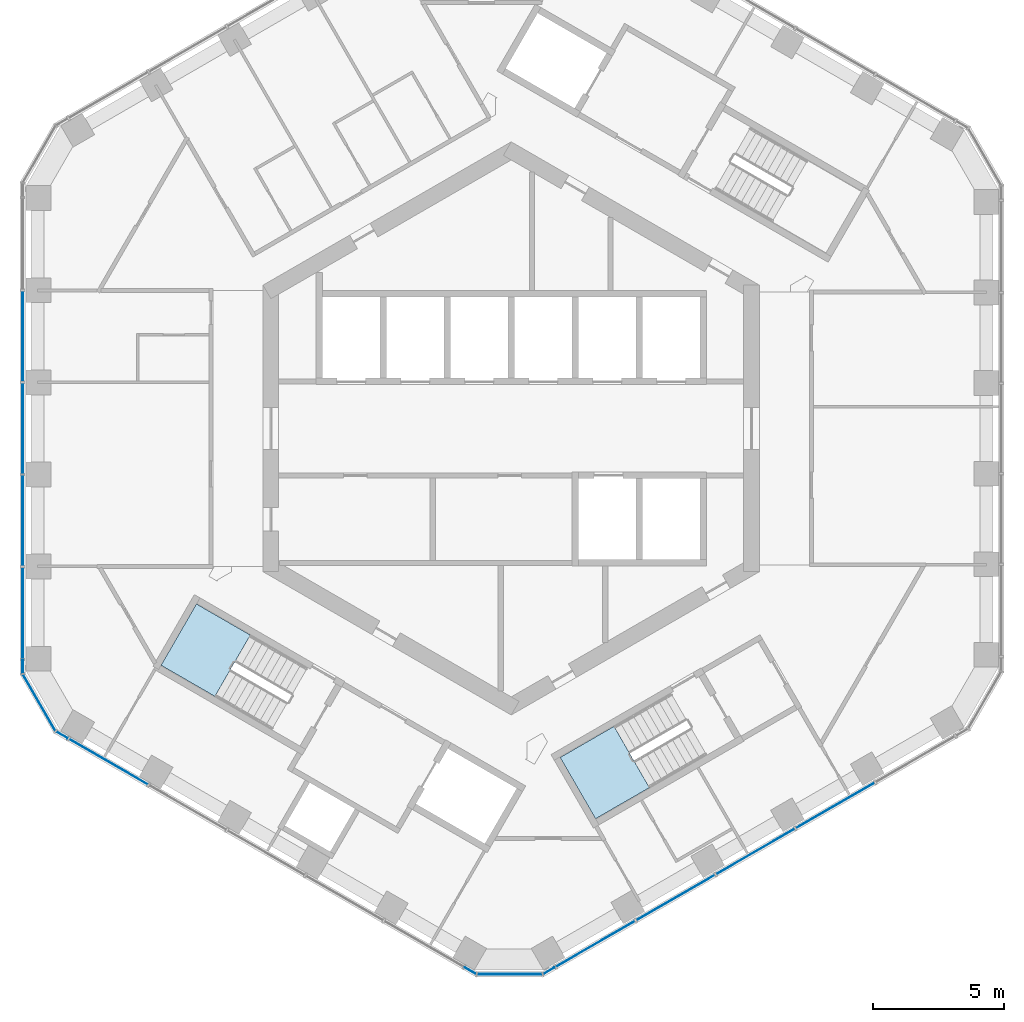
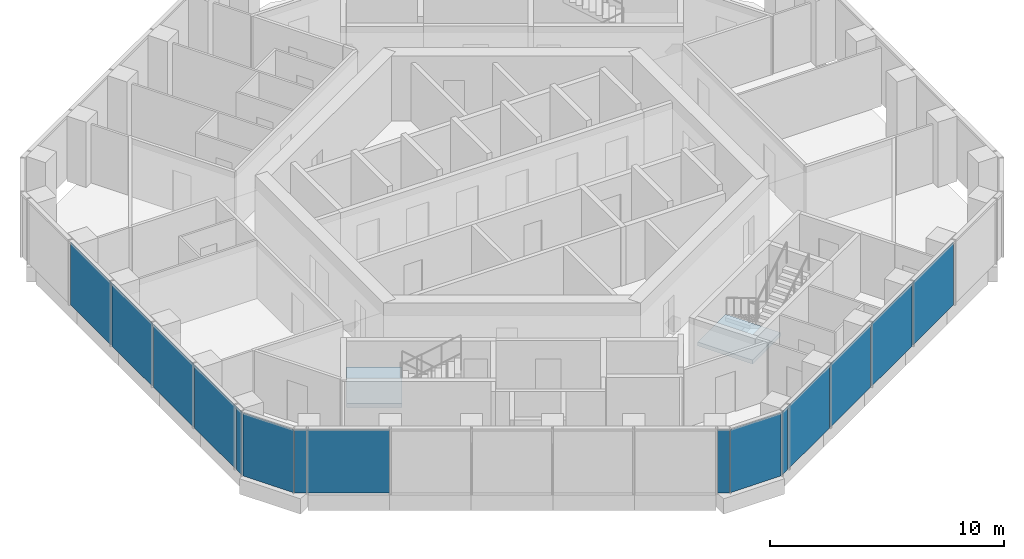
# One storey, part 9 of 19: 15 plates, 2 slabs, 7 elements without a shape of their own.
"""IFC4 building model written with IfcOpenShell, lengths in metres."""

from ifc_helpers import new_model, si_unit, direction, frame, origin, origin_2d, place, context, subcontext, project, spatial, polyline, rectangle, outline, extrude, material, layer, layer_set, type_object, element, aggregate, save


model = new_model("IFC4")

# Units and contexts
model_context = context("Model", 3, precision=1e-05, world=origin(), true_north=direction((0.0, 1.0)))
body_context = subcontext(model_context, "Body", "Model", "MODEL_VIEW")
ifc_project = project(units=[si_unit("LENGTHUNIT", "METRE"), si_unit("AREAUNIT", "SQUARE_METRE"), si_unit("VOLUMEUNIT", "CUBIC_METRE"), si_unit("PLANEANGLEUNIT", "RADIAN"), si_unit("MASSUNIT", "GRAM", prefix="KILO")], contexts=[model_context])

# Site, building, storey
site_placement = place(None, origin())
site = spatial("IfcSite", under=ifc_project, at=site_placement, CompositionType="ELEMENT")
building_placement = place(site_placement, origin())
building = spatial("IfcBuilding", under=site, at=building_placement, Name="Ayvan Gate Tower", CompositionType="ELEMENT")
storey_placement = place(building_placement, frame((0.0, 0.0, 156.10009765625)))
storey = spatial("IfcBuildingStorey", under=building, at=storey_placement, Name="L41", CompositionType="ELEMENT", Elevation=156.10009765625)

# Stair, slab
ifc_material_1 = material(Name="Concrete C40/50", Category="concrete")
stair_type = type_object("IfcStairType", Name="ST-EXIT", PredefinedType="HALF_TURN_STAIR", material=ifc_material_1)
stair_1_placement = place(storey_placement, origin())
stair_1 = element("IfcStair", 1, at=stair_1_placement, inside=storey, type_object=stair_type, Name="L41 Exit Stair S2", PredefinedType="HALF_TURN_STAIR")
ifc_layer_1 = layer(ifc_material_1, 0.199951171875)
ifc_layer_set_1 = layer_set([ifc_layer_1], Name="Concrete C40/50")
slab_type = type_object("IfcSlabType", Name="SL-LANDING-200", PredefinedType="LANDING", material=ifc_layer_set_1)
slab_1_placement = place(storey_placement, frame((0.0, 0.0, 1.5)))
slab_1 = element("IfcSlab", 2, at=slab_1_placement, type_object=slab_type, Name="STS2 landing 1", PredefinedType="LANDING", context=body_context, shape_type="SweptSolid", body=[
    extrude(outline(polyline([(-9.988525390625, -7.91064453125), (-12.049560546875, -6.720458984375), (-13.404541015625, -9.0673828125), (-11.343505859375, -10.257568359375), (-9.988525390625, -7.91064453125)])), origin(), (0.0, 0.0, 1.0), 0.199951171875),
])
aggregate(stair_1, [slab_1])

stair_2_placement = place(storey_placement, origin())
stair_2 = element("IfcStair", 3, at=stair_2_placement, inside=storey, type_object=stair_type, Name="L41 Exit Stair S3", PredefinedType="HALF_TURN_STAIR")
slab_2_placement = place(storey_placement, frame((0.0, 0.0, 1.5)))
slab_2 = element("IfcSlab", 4, at=slab_2_placement, type_object=slab_type, Name="STS3 landing 1", PredefinedType="LANDING", context=body_context, shape_type="SweptSolid", body=[
    extrude(outline(polyline([(3.93505859375, -11.405517578125), (1.873779296875, -12.595458984375), (3.228759765625, -14.9423828125), (5.2900390625, -13.75244140625), (3.93505859375, -11.405517578125)])), origin(), (0.0, 0.0, 1.0), 0.199951171875),
])
aggregate(stair_2, [slab_2])

# Curtain wall, plates
ifc_material_2 = material(Name="Bronze anodised aluminium", Category="aluminium")
ifc_layer_2 = layer(ifc_material_2, 0.199951171875)
ifc_layer_set_2 = layer_set([ifc_layer_2], Name="Bronze anodised aluminium")
curtain_wall_type_1 = type_object("IfcCurtainWallType", Name="Stick curtain wall CW-2", PredefinedType="NOTDEFINED", material=ifc_layer_set_2)
curtain_wall_1_placement = place(storey_placement, origin())
curtain_wall_1 = element("IfcCurtainWall", 5, at=curtain_wall_1_placement, inside=storey, type_object=curtain_wall_type_1, Name="Stick curtain wall CW-2 L41", PredefinedType="NOTDEFINED")
ifc_material_3 = material(Name="Clear low-iron laminated glass", Category="glass")
ifc_layer_3 = layer(ifc_material_3, 0.028076171875)
ifc_layer_set_3 = layer_set([ifc_layer_3], Name="Clear low-iron laminated glass")
plate_type_1 = type_object("IfcPlateType", Name="Stick curtain wall CW-2 glass panel", PredefinedType="CURTAIN_PANEL", material=ifc_layer_set_3)
plate_1_placement = place(storey_placement, frame((-18.7021484375, 3.52783203125, 0.0), z_axis=(0.0, 0.0, 1.0), x_axis=(0.0, -1.0, 0.0)))
plate_1 = element("IfcPlate", 6, at=plate_1_placement, type_object=plate_type_1, Name="CW-2 glass panel 2", PredefinedType="CURTAIN_PANEL", context=body_context, shape_type="SweptSolid", body=[
    extrude(rectangle(XDim=3.4580078125, YDim=0.028076171875, at=origin_2d()), origin(), (0.0, 0.0, 1.0), 3.280029296875),
])
plate_2_placement = place(storey_placement, frame((-18.7021484375, 0.0, 0.0), z_axis=(0.0, 0.0, 1.0), x_axis=(0.0, -1.0, 0.0)))
plate_2 = element("IfcPlate", 7, at=plate_2_placement, type_object=plate_type_1, Name="CW-2 glass panel 3", PredefinedType="CURTAIN_PANEL", context=body_context, shape_type="SweptSolid", body=[
    extrude(rectangle(XDim=3.4580078125, YDim=0.028076171875, at=origin_2d()), origin(), (0.0, 0.0, 1.0), 3.280029296875),
])
plate_3_placement = place(storey_placement, frame((-18.7021484375, -3.528076171875, 0.0), z_axis=(0.0, 0.0, 1.0), x_axis=(0.0, -1.0, 0.0)))
plate_3 = element("IfcPlate", 8, at=plate_3_placement, type_object=plate_type_1, Name="CW-2 glass panel 4", PredefinedType="CURTAIN_PANEL", context=body_context, shape_type="SweptSolid", body=[
    extrude(rectangle(XDim=3.4580078125, YDim=0.028076171875, at=origin_2d()), origin(), (0.0, 0.0, 1.0), 3.280029296875),
])
plate_4_placement = place(storey_placement, frame((-18.7021484375, -7.0849609375, 0.0), z_axis=(0.0, 0.0, 1.0), x_axis=(0.0, -1.0, 0.0)))
plate_4 = element("IfcPlate", 9, at=plate_4_placement, type_object=plate_type_1, Name="CW-2 glass panel 5", PredefinedType="CURTAIN_PANEL", context=body_context, shape_type="SweptSolid", body=[
    extrude(rectangle(XDim=3.515869140625, YDim=0.028076171875, at=origin_2d()), origin(), (0.0, 0.0, 1.0), 3.280029296875),
])
aggregate(curtain_wall_1, [plate_1, plate_2, plate_3, plate_4])

# Curtain wall, plate
curtain_wall_2_placement = place(storey_placement, origin())
curtain_wall_2 = element("IfcCurtainWall", 10, at=curtain_wall_2_placement, inside=storey, type_object=curtain_wall_type_1, Name="Stick curtain wall CW-2 L41", PredefinedType="NOTDEFINED")
plate_5_placement = place(storey_placement, frame((-15.431884765625, -12.75439453125, 0.0), z_axis=(0.0, 0.0, 1.0), x_axis=(0.866025403784, -0.5, 0.0)))
plate_5 = element("IfcPlate", 11, at=plate_5_placement, type_object=plate_type_1, Name="CW-2 glass panel 1", PredefinedType="CURTAIN_PANEL", context=body_context, shape_type="SweptSolid", body=[
    extrude(rectangle(XDim=3.506103515625, YDim=0.028076171875, at=origin_2d()), origin(), (0.0, 0.0, 1.0), 3.280029296875),
])
aggregate(curtain_wall_2, [plate_5])

# Curtain wall, plates
curtain_wall_3_placement = place(storey_placement, origin())
curtain_wall_3 = element("IfcCurtainWall", 12, at=curtain_wall_3_placement, inside=storey, type_object=curtain_wall_type_1, Name="Stick curtain wall CW-2 L41", PredefinedType="NOTDEFINED")
plate_6_placement = place(storey_placement, frame((3.21533203125, -19.739013671875, 0.0), z_axis=(0.0, 0.0, 1.0), x_axis=(0.866025403784, 0.5, 0.0)))
plate_6 = element("IfcPlate", 13, at=plate_6_placement, type_object=plate_type_1, Name="CW-2 glass panel 1", PredefinedType="CURTAIN_PANEL", context=body_context, shape_type="SweptSolid", body=[
    extrude(rectangle(XDim=3.51611328125, YDim=0.028076171875, at=origin_2d()), origin(), (0.0, 0.0, 1.0), 3.280029296875),
])
plate_7_placement = place(storey_placement, frame((6.2958984375, -17.96044921875, 0.0), z_axis=(0.0, 0.0, 1.0), x_axis=(0.866025403784, 0.5, 0.0)))
plate_7 = element("IfcPlate", 14, at=plate_7_placement, type_object=plate_type_1, Name="CW-2 glass panel 2", PredefinedType="CURTAIN_PANEL", context=body_context, shape_type="SweptSolid", body=[
    extrude(rectangle(XDim=3.4580078125, YDim=0.028076171875, at=origin_2d()), origin(), (0.0, 0.0, 1.0), 3.280029296875),
])
plate_8_placement = place(storey_placement, frame((9.35107421875, -16.196533203125, 0.0), z_axis=(0.0, 0.0, 1.0), x_axis=(0.866025403784, 0.5, 0.0)))
plate_8 = element("IfcPlate", 15, at=plate_8_placement, type_object=plate_type_1, Name="CW-2 glass panel 3", PredefinedType="CURTAIN_PANEL", context=body_context, shape_type="SweptSolid", body=[
    extrude(rectangle(XDim=3.4580078125, YDim=0.028076171875, at=origin_2d()), origin(), (0.0, 0.0, 1.0), 3.280029296875),
])
plate_9_placement = place(storey_placement, frame((12.406494140625, -14.4326171875, 0.0), z_axis=(0.0, 0.0, 1.0), x_axis=(0.866025403784, 0.5, 0.0)))
plate_9 = element("IfcPlate", 16, at=plate_9_placement, type_object=plate_type_1, Name="CW-2 glass panel 4", PredefinedType="CURTAIN_PANEL", context=body_context, shape_type="SweptSolid", body=[
    extrude(rectangle(XDim=3.4580078125, YDim=0.028076171875, at=origin_2d()), origin(), (0.0, 0.0, 1.0), 3.280029296875),
])
aggregate(curtain_wall_3, [plate_6, plate_7, plate_8, plate_9])

ifc_layer_4 = layer(ifc_material_2, 0.199951171875)
ifc_layer_set_4 = layer_set([ifc_layer_4], Name="Bronze anodised aluminium")
curtain_wall_type_2 = type_object("IfcCurtainWallType", Name="Stick curtain wall CW-6", PredefinedType="NOTDEFINED", material=ifc_layer_set_4)
curtain_wall_4_placement = place(storey_placement, origin())
curtain_wall_4 = element("IfcCurtainWall", 17, at=curtain_wall_4_placement, inside=storey, type_object=curtain_wall_type_2, Name="Stick curtain wall CW-6 L41", PredefinedType="NOTDEFINED")
ifc_layer_5 = layer(ifc_material_3, 0.028076171875)
ifc_layer_set_5 = layer_set([ifc_layer_5], Name="Clear low-iron laminated glass")
plate_type_2 = type_object("IfcPlateType", Name="Stick curtain wall CW-6 glass panel", PredefinedType="CURTAIN_PANEL", material=ifc_layer_set_5)
plate_10_placement = place(storey_placement, frame((-18.7021484375, -9.1279296875, 0.0), z_axis=(0.0, 0.0, 1.0), x_axis=(0.0, -1.0, 0.0)))
plate_10 = element("IfcPlate", 18, at=plate_10_placement, type_object=plate_type_2, Name="CW-6 glass panel 1", PredefinedType="CURTAIN_PANEL", context=body_context, shape_type="SweptSolid", body=[
    extrude(rectangle(XDim=0.5, YDim=0.028076171875, at=origin_2d()), origin(), (0.0, 0.0, 1.0), 3.280029296875),
])
plate_11_placement = place(storey_placement, frame((-18.068603515625, -10.50048828125, 0.0), z_axis=(0.0, 0.0, 1.0), x_axis=(0.5, -0.866025403784, 0.0)))
plate_11 = element("IfcPlate", 19, at=plate_11_placement, type_object=plate_type_2, Name="CW-6 glass panel 2", PredefinedType="CURTAIN_PANEL", context=body_context, shape_type="SweptSolid", body=[
    extrude(rectangle(XDim=2.484619140625, YDim=0.028076171875, at=origin_2d()), origin(), (0.0, 0.0, 1.0), 3.280029296875),
])
plate_12_placement = place(storey_placement, frame((-17.19677734375, -11.7353515625, 0.0), z_axis=(0.0, 0.0, 1.0), x_axis=(0.866025403784, -0.5, 0.0)))
plate_12 = element("IfcPlate", 20, at=plate_12_placement, type_object=plate_type_2, Name="CW-6 glass panel 3", PredefinedType="CURTAIN_PANEL", context=body_context, shape_type="SweptSolid", body=[
    extrude(rectangle(XDim=0.5, YDim=0.028076171875, at=origin_2d()), origin(), (0.0, 0.0, 1.0), 3.280029296875),
])
aggregate(curtain_wall_4, [plate_10, plate_11, plate_12])

curtain_wall_5_placement = place(storey_placement, origin())
curtain_wall_5 = element("IfcCurtainWall", 21, at=curtain_wall_5_placement, inside=storey, type_object=curtain_wall_type_2, Name="Stick curtain wall CW-6 L41", PredefinedType="NOTDEFINED")
plate_13_placement = place(storey_placement, frame((-1.564697265625, -20.760498046875, 0.0), z_axis=(0.0, 0.0, 1.0), x_axis=(0.866025403784, -0.5, 0.0)))
plate_13 = element("IfcPlate", 22, at=plate_13_placement, type_object=plate_type_2, Name="CW-6 glass panel 1", PredefinedType="CURTAIN_PANEL", context=body_context, shape_type="SweptSolid", body=[
    extrude(rectangle(XDim=0.5, YDim=0.028076171875, at=origin_2d()), origin(), (0.0, 0.0, 1.0), 3.280029296875),
])
plate_14_placement = place(storey_placement, frame((-0.059326171875, -20.89794921875, 0.0), z_axis=(0.0, 0.0, 1.0), x_axis=(1.0, 0.0, 0.0)))
plate_14 = element("IfcPlate", 23, at=plate_14_placement, type_object=plate_type_2, Name="CW-6 glass panel 2", PredefinedType="CURTAIN_PANEL", context=body_context, shape_type="SweptSolid", body=[
    extrude(rectangle(XDim=2.484619140625, YDim=0.028076171875, at=origin_2d()), origin(), (0.0, 0.0, 1.0), 3.280029296875),
])
plate_15_placement = place(storey_placement, frame((1.446044921875, -20.760498046875, 0.0), z_axis=(0.0, 0.0, 1.0), x_axis=(0.866025403784, 0.5, 0.0)))
plate_15 = element("IfcPlate", 24, at=plate_15_placement, type_object=plate_type_2, Name="CW-6 glass panel 3", PredefinedType="CURTAIN_PANEL", context=body_context, shape_type="SweptSolid", body=[
    extrude(rectangle(XDim=0.5, YDim=0.028076171875, at=origin_2d()), origin(), (0.0, 0.0, 1.0), 3.280029296875),
])
aggregate(curtain_wall_5, [plate_13, plate_14, plate_15])

save(model, "model.ifc")
